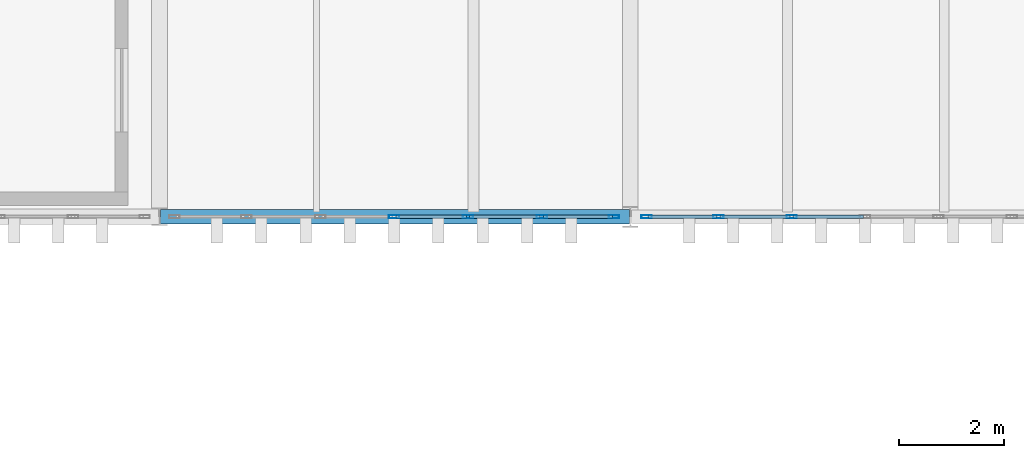
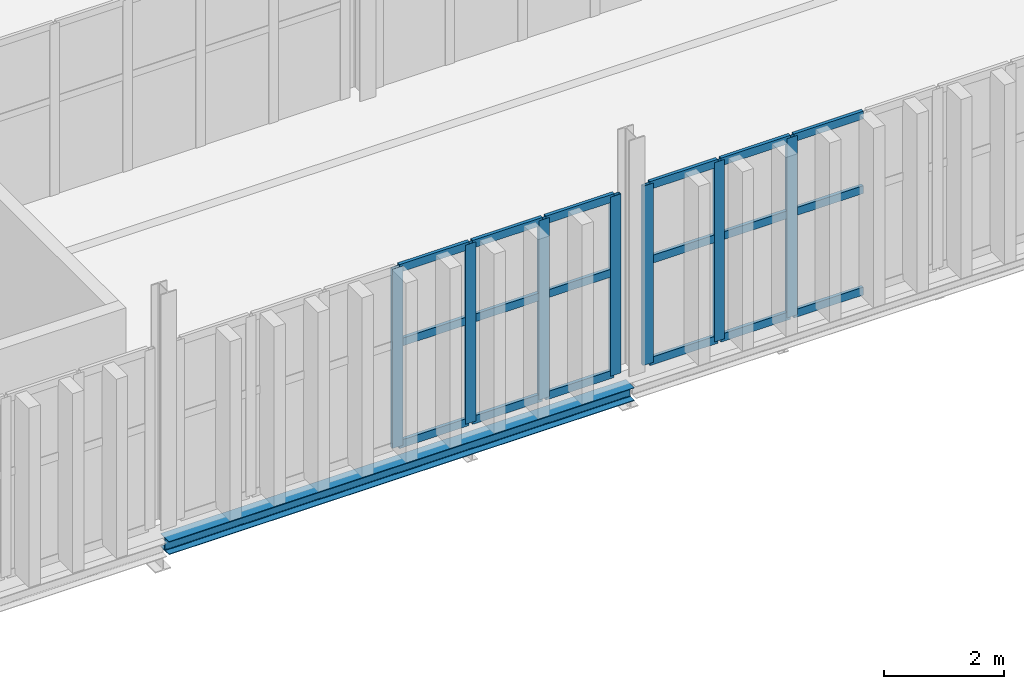
# One storey, part 28 of 196: 25 members, 1 beam, 2 elements without a shape of their own.
"""IFC4 building model written with IfcOpenShell, lengths in metres."""

from ifc_helpers import new_model, si_unit, direction, frame, origin, origin_2d, place, context, subcontext, project, spatial, hollow_rectangle, i_section, extrude, material, layer, layer_set, material_profile, profile_set, type_object, element, aggregate, save


model = new_model("IFC4")

# Units and contexts
model_context = context("Model", 3, precision=1e-05, world=origin(), true_north=direction((0.0, 1.0)))
body_context = subcontext(model_context, "Body", "Model", "MODEL_VIEW")
ifc_project = project(units=[si_unit("LENGTHUNIT", "METRE"), si_unit("AREAUNIT", "SQUARE_METRE"), si_unit("VOLUMEUNIT", "CUBIC_METRE"), si_unit("PLANEANGLEUNIT", "RADIAN"), si_unit("MASSUNIT", "GRAM", prefix="KILO")], contexts=[model_context])

# Site, building, storey
site_placement = place(None, origin())
site = spatial("IfcSite", under=ifc_project, at=site_placement, CompositionType="ELEMENT")
building_placement = place(site_placement, origin())
building = spatial("IfcBuilding", under=site, at=building_placement, Name="Barlavento Convention Centre", CompositionType="ELEMENT")
storey_placement = place(building_placement, frame((0.0, 0.0, 18.0)))
storey = spatial("IfcBuildingStorey", under=building, at=storey_placement, Name="L03", CompositionType="ELEMENT", Elevation=18.0)

# Curtain wall, members
ifc_material_1 = material(Name="Powder-coated aluminium and Low-E glass", Category="aluminium")
ifc_layer = layer(ifc_material_1, 0.179931640625)
ifc_layer_set = layer_set([ifc_layer], Name="ARC-CW-CONF-L03")
curtain_wall_type = type_object("IfcCurtainWallType", Name="ARC-CW-CONF-L03", PredefinedType="NOTDEFINED", material=ifc_layer_set)
curtain_wall_1_placement = place(storey_placement, origin())
curtain_wall_1 = element("IfcCurtainWall", 1, at=curtain_wall_1_placement, inside=storey, type_object=curtain_wall_type, Name="L03 unitised curtain wall CW08", PredefinedType="NOTDEFINED")
ifc_material_2 = material(Name="Powder-coated aluminium", Category="aluminium")
ifc_material_profile_1 = material_profile(ifc_material_2, hollow_rectangle(XDim=0.06494140625, YDim=0.199951171875, WallThickness=0.0048828125, at=origin_2d()), Name="AL-MULL 65x200x5")
ifc_profile_set_1 = profile_set([ifc_material_profile_1], Name="Powder-coated aluminium")
member_type_1 = type_object("IfcMemberType", Name="ARC-CWM-65X200", PredefinedType="MULLION", material=ifc_profile_set_1)
member_1_placement = place(storey_placement, frame((76.485107421875, 45.0, 0.0), z_axis=(0.0, 0.0, 1.0), x_axis=(0.0, 1.0, 0.0)))
member_1 = element("IfcMember", 2, at=member_1_placement, type_object=member_type_1, Name="CW08 mullion 4", PredefinedType="MULLION", context=body_context, shape_type="SweptSolid", body=[
    extrude(hollow_rectangle(XDim=0.06494140625, YDim=0.199951171875, WallThickness=0.0048828125, at=origin_2d()), origin(), (0.0, 0.0, 1.0), 3.64990234375),
])
member_2_placement = place(storey_placement, frame((77.896728515625, 45.0, 0.0), z_axis=(0.0, 0.0, 1.0), x_axis=(0.0, 1.0, 0.0)))
member_2 = element("IfcMember", 3, at=member_2_placement, type_object=member_type_1, Name="CW08 mullion 5", PredefinedType="MULLION", context=body_context, shape_type="SweptSolid", body=[
    extrude(hollow_rectangle(XDim=0.06494140625, YDim=0.199951171875, WallThickness=0.0048828125, at=origin_2d()), origin(), (0.0, 0.0, 1.0), 3.64990234375),
])
member_3_placement = place(storey_placement, frame((79.308349609375, 45.0, 0.0), z_axis=(0.0, 0.0, 1.0), x_axis=(0.0, 1.0, 0.0)))
member_3 = element("IfcMember", 4, at=member_3_placement, type_object=member_type_1, Name="CW08 mullion 6", PredefinedType="MULLION", context=body_context, shape_type="SweptSolid", body=[
    extrude(hollow_rectangle(XDim=0.06494140625, YDim=0.199951171875, WallThickness=0.0048828125, at=origin_2d()), origin(), (0.0, 0.0, 1.0), 3.64990234375),
])
member_4_placement = place(storey_placement, frame((80.6875, 45.0, 0.0), z_axis=(0.0, 0.0, 1.0), x_axis=(0.0, 1.0, 0.0)))
member_4 = element("IfcMember", 5, at=member_4_placement, type_object=member_type_1, Name="CW08 mullion 7", PredefinedType="MULLION", context=body_context, shape_type="SweptSolid", body=[
    extrude(hollow_rectangle(XDim=0.06494140625, YDim=0.199951171875, WallThickness=0.0048828125, at=origin_2d()), origin(), (0.0, 0.0, 1.0), 3.64990234375),
])

curtain_wall_2_placement = place(storey_placement, origin())
curtain_wall_2 = element("IfcCurtainWall", 6, at=curtain_wall_2_placement, inside=storey, type_object=curtain_wall_type, Name="L03 unitised curtain wall CW08", PredefinedType="NOTDEFINED")
member_5_placement = place(storey_placement, frame((81.3125, 45.0, 0.0), z_axis=(0.0, 0.0, 1.0), x_axis=(0.0, 1.0, 0.0)))
member_5 = element("IfcMember", 7, at=member_5_placement, type_object=member_type_1, Name="CW08 mullion 1", PredefinedType="MULLION", context=body_context, shape_type="SweptSolid", body=[
    extrude(hollow_rectangle(XDim=0.06494140625, YDim=0.199951171875, WallThickness=0.0048828125, at=origin_2d()), origin(), (0.0, 0.0, 1.0), 3.64990234375),
])
member_6_placement = place(storey_placement, frame((82.6826171875, 45.0, 0.0), z_axis=(0.0, 0.0, 1.0), x_axis=(0.0, 1.0, 0.0)))
member_6 = element("IfcMember", 8, at=member_6_placement, type_object=member_type_1, Name="CW08 mullion 2", PredefinedType="MULLION", context=body_context, shape_type="SweptSolid", body=[
    extrude(hollow_rectangle(XDim=0.06494140625, YDim=0.199951171875, WallThickness=0.0048828125, at=origin_2d()), origin(), (0.0, 0.0, 1.0), 3.64990234375),
])
member_7_placement = place(storey_placement, frame((84.0849609375, 45.0, 0.0), z_axis=(0.0, 0.0, 1.0), x_axis=(0.0, 1.0, 0.0)))
member_7 = element("IfcMember", 9, at=member_7_placement, type_object=member_type_1, Name="CW08 mullion 3", PredefinedType="MULLION", context=body_context, shape_type="SweptSolid", body=[
    extrude(hollow_rectangle(XDim=0.06494140625, YDim=0.199951171875, WallThickness=0.0048828125, at=origin_2d()), origin(), (0.0, 0.0, 1.0), 3.64990234375),
])

# Member
ifc_material_profile_2 = material_profile(ifc_material_2, hollow_rectangle(XDim=0.06494140625, YDim=0.159912109375, WallThickness=0.0048828125, at=origin_2d()), Name="AL-TRAN 65x160x5")
ifc_profile_set_2 = profile_set([ifc_material_profile_2], Name="Powder-coated aluminium")
member_type_2 = type_object("IfcMemberType", Name="ARC-CWT-65X160", PredefinedType="USERDEFINED", material=ifc_profile_set_2)
member_8_placement = place(storey_placement, frame((76.517578125, 45.0, 0.032470703125), z_axis=(1.0, 0.0, 0.0), x_axis=(0.0, 1.0, 0.0)))
member_8 = element("IfcMember", 10, at=member_8_placement, type_object=member_type_2, Name="CW08 transom 4.1", ObjectType="TRANSOM", PredefinedType="USERDEFINED", context=body_context, shape_type="SweptSolid", body=[
    extrude(hollow_rectangle(XDim=0.06494140625, YDim=0.159912109375, WallThickness=0.0048828125, at=origin_2d()), origin(), (0.0, 0.0, 1.0), 1.3466796875),
])

member_9_placement = place(storey_placement, frame((76.517578125, 45.0, 2.10009765625), z_axis=(1.0, 0.0, 0.0), x_axis=(0.0, 1.0, 0.0)))
member_9 = element("IfcMember", 11, at=member_9_placement, type_object=member_type_2, Name="CW08 transom 4.2", ObjectType="TRANSOM", PredefinedType="USERDEFINED", context=body_context, shape_type="SweptSolid", body=[
    extrude(hollow_rectangle(XDim=0.06494140625, YDim=0.159912109375, WallThickness=0.0048828125, at=origin_2d()), origin(), (0.0, 0.0, 1.0), 1.3466796875),
])

member_10_placement = place(storey_placement, frame((76.517578125, 45.0, 3.617431640625), z_axis=(1.0, 0.0, 0.0), x_axis=(0.0, 1.0, 0.0)))
member_10 = element("IfcMember", 12, at=member_10_placement, type_object=member_type_2, Name="CW08 transom 4.3", ObjectType="TRANSOM", PredefinedType="USERDEFINED", context=body_context, shape_type="SweptSolid", body=[
    extrude(hollow_rectangle(XDim=0.06494140625, YDim=0.159912109375, WallThickness=0.0048828125, at=origin_2d()), origin(), (0.0, 0.0, 1.0), 1.3466796875),
])

member_11_placement = place(storey_placement, frame((77.92919921875, 45.0, 0.032470703125), z_axis=(1.0, 0.0, 0.0), x_axis=(0.0, 1.0, 0.0)))
member_11 = element("IfcMember", 13, at=member_11_placement, type_object=member_type_2, Name="CW08 transom 5.1", ObjectType="TRANSOM", PredefinedType="USERDEFINED", context=body_context, shape_type="SweptSolid", body=[
    extrude(hollow_rectangle(XDim=0.06494140625, YDim=0.159912109375, WallThickness=0.0048828125, at=origin_2d()), origin(), (0.0, 0.0, 1.0), 1.3466796875),
])

member_12_placement = place(storey_placement, frame((77.92919921875, 45.0, 2.10009765625), z_axis=(1.0, 0.0, 0.0), x_axis=(0.0, 1.0, 0.0)))
member_12 = element("IfcMember", 14, at=member_12_placement, type_object=member_type_2, Name="CW08 transom 5.2", ObjectType="TRANSOM", PredefinedType="USERDEFINED", context=body_context, shape_type="SweptSolid", body=[
    extrude(hollow_rectangle(XDim=0.06494140625, YDim=0.159912109375, WallThickness=0.0048828125, at=origin_2d()), origin(), (0.0, 0.0, 1.0), 1.3466796875),
])

member_13_placement = place(storey_placement, frame((77.92919921875, 45.0, 3.617431640625), z_axis=(1.0, 0.0, 0.0), x_axis=(0.0, 1.0, 0.0)))
member_13 = element("IfcMember", 15, at=member_13_placement, type_object=member_type_2, Name="CW08 transom 5.3", ObjectType="TRANSOM", PredefinedType="USERDEFINED", context=body_context, shape_type="SweptSolid", body=[
    extrude(hollow_rectangle(XDim=0.06494140625, YDim=0.159912109375, WallThickness=0.0048828125, at=origin_2d()), origin(), (0.0, 0.0, 1.0), 1.3466796875),
])

member_14_placement = place(storey_placement, frame((79.3408203125, 45.0, 0.032470703125), z_axis=(1.0, 0.0, 0.0), x_axis=(0.0, 1.0, 0.0)))
member_14 = element("IfcMember", 16, at=member_14_placement, type_object=member_type_2, Name="CW08 transom 6.1", ObjectType="TRANSOM", PredefinedType="USERDEFINED", context=body_context, shape_type="SweptSolid", body=[
    extrude(hollow_rectangle(XDim=0.06494140625, YDim=0.159912109375, WallThickness=0.0048828125, at=origin_2d()), origin(), (0.0, 0.0, 1.0), 1.314208984375),
])

member_15_placement = place(storey_placement, frame((79.3408203125, 45.0, 2.10009765625), z_axis=(1.0, 0.0, 0.0), x_axis=(0.0, 1.0, 0.0)))
member_15 = element("IfcMember", 17, at=member_15_placement, type_object=member_type_2, Name="CW08 transom 6.2", ObjectType="TRANSOM", PredefinedType="USERDEFINED", context=body_context, shape_type="SweptSolid", body=[
    extrude(hollow_rectangle(XDim=0.06494140625, YDim=0.159912109375, WallThickness=0.0048828125, at=origin_2d()), origin(), (0.0, 0.0, 1.0), 1.314208984375),
])

member_16_placement = place(storey_placement, frame((79.3408203125, 45.0, 3.617431640625), z_axis=(1.0, 0.0, 0.0), x_axis=(0.0, 1.0, 0.0)))
member_16 = element("IfcMember", 18, at=member_16_placement, type_object=member_type_2, Name="CW08 transom 6.3", ObjectType="TRANSOM", PredefinedType="USERDEFINED", context=body_context, shape_type="SweptSolid", body=[
    extrude(hollow_rectangle(XDim=0.06494140625, YDim=0.159912109375, WallThickness=0.0048828125, at=origin_2d()), origin(), (0.0, 0.0, 1.0), 1.314208984375),
])

aggregate(curtain_wall_1, [member_1, member_2, member_3, member_4, member_8, member_9, member_10, member_11, member_12, member_13, member_14, member_15, member_16])

member_17_placement = place(storey_placement, frame((81.344970703125, 45.0, 0.032470703125), z_axis=(1.0, 0.0, 0.0), x_axis=(0.0, 1.0, 0.0)))
member_17 = element("IfcMember", 19, at=member_17_placement, type_object=member_type_2, Name="CW08 transom 1.1", ObjectType="TRANSOM", PredefinedType="USERDEFINED", context=body_context, shape_type="SweptSolid", body=[
    extrude(hollow_rectangle(XDim=0.06494140625, YDim=0.159912109375, WallThickness=0.0048828125, at=origin_2d()), origin(), (0.0, 0.0, 1.0), 1.304931640625),
])

member_18_placement = place(storey_placement, frame((81.344970703125, 45.0, 2.10009765625), z_axis=(1.0, 0.0, 0.0), x_axis=(0.0, 1.0, 0.0)))
member_18 = element("IfcMember", 20, at=member_18_placement, type_object=member_type_2, Name="CW08 transom 1.2", ObjectType="TRANSOM", PredefinedType="USERDEFINED", context=body_context, shape_type="SweptSolid", body=[
    extrude(hollow_rectangle(XDim=0.06494140625, YDim=0.159912109375, WallThickness=0.0048828125, at=origin_2d()), origin(), (0.0, 0.0, 1.0), 1.304931640625),
])

member_19_placement = place(storey_placement, frame((81.344970703125, 45.0, 3.617431640625), z_axis=(1.0, 0.0, 0.0), x_axis=(0.0, 1.0, 0.0)))
member_19 = element("IfcMember", 21, at=member_19_placement, type_object=member_type_2, Name="CW08 transom 1.3", ObjectType="TRANSOM", PredefinedType="USERDEFINED", context=body_context, shape_type="SweptSolid", body=[
    extrude(hollow_rectangle(XDim=0.06494140625, YDim=0.159912109375, WallThickness=0.0048828125, at=origin_2d()), origin(), (0.0, 0.0, 1.0), 1.304931640625),
])

member_20_placement = place(storey_placement, frame((82.715087890625, 45.0, 0.032470703125), z_axis=(1.0, 0.0, 0.0), x_axis=(0.0, 1.0, 0.0)))
member_20 = element("IfcMember", 22, at=member_20_placement, type_object=member_type_2, Name="CW08 transom 2.1", ObjectType="TRANSOM", PredefinedType="USERDEFINED", context=body_context, shape_type="SweptSolid", body=[
    extrude(hollow_rectangle(XDim=0.06494140625, YDim=0.159912109375, WallThickness=0.0048828125, at=origin_2d()), origin(), (0.0, 0.0, 1.0), 1.33740234375),
])

member_21_placement = place(storey_placement, frame((82.715087890625, 45.0, 2.10009765625), z_axis=(1.0, 0.0, 0.0), x_axis=(0.0, 1.0, 0.0)))
member_21 = element("IfcMember", 23, at=member_21_placement, type_object=member_type_2, Name="CW08 transom 2.2", ObjectType="TRANSOM", PredefinedType="USERDEFINED", context=body_context, shape_type="SweptSolid", body=[
    extrude(hollow_rectangle(XDim=0.06494140625, YDim=0.159912109375, WallThickness=0.0048828125, at=origin_2d()), origin(), (0.0, 0.0, 1.0), 1.33740234375),
])

member_22_placement = place(storey_placement, frame((82.715087890625, 45.0, 3.617431640625), z_axis=(1.0, 0.0, 0.0), x_axis=(0.0, 1.0, 0.0)))
member_22 = element("IfcMember", 24, at=member_22_placement, type_object=member_type_2, Name="CW08 transom 2.3", ObjectType="TRANSOM", PredefinedType="USERDEFINED", context=body_context, shape_type="SweptSolid", body=[
    extrude(hollow_rectangle(XDim=0.06494140625, YDim=0.159912109375, WallThickness=0.0048828125, at=origin_2d()), origin(), (0.0, 0.0, 1.0), 1.33740234375),
])

member_23_placement = place(storey_placement, frame((84.117431640625, 45.0, 0.032470703125), z_axis=(1.0, 0.0, 0.0), x_axis=(0.0, 1.0, 0.0)))
member_23 = element("IfcMember", 25, at=member_23_placement, type_object=member_type_2, Name="CW08 transom 3.1", ObjectType="TRANSOM", PredefinedType="USERDEFINED", context=body_context, shape_type="SweptSolid", body=[
    extrude(hollow_rectangle(XDim=0.06494140625, YDim=0.159912109375, WallThickness=0.0048828125, at=origin_2d()), origin(), (0.0, 0.0, 1.0), 1.337646484375),
])

member_24_placement = place(storey_placement, frame((84.117431640625, 45.0, 2.10009765625), z_axis=(1.0, 0.0, 0.0), x_axis=(0.0, 1.0, 0.0)))
member_24 = element("IfcMember", 26, at=member_24_placement, type_object=member_type_2, Name="CW08 transom 3.2", ObjectType="TRANSOM", PredefinedType="USERDEFINED", context=body_context, shape_type="SweptSolid", body=[
    extrude(hollow_rectangle(XDim=0.06494140625, YDim=0.159912109375, WallThickness=0.0048828125, at=origin_2d()), origin(), (0.0, 0.0, 1.0), 1.337646484375),
])

member_25_placement = place(storey_placement, frame((84.117431640625, 45.0, 3.617431640625), z_axis=(1.0, 0.0, 0.0), x_axis=(0.0, 1.0, 0.0)))
member_25 = element("IfcMember", 27, at=member_25_placement, type_object=member_type_2, Name="CW08 transom 3.3", ObjectType="TRANSOM", PredefinedType="USERDEFINED", context=body_context, shape_type="SweptSolid", body=[
    extrude(hollow_rectangle(XDim=0.06494140625, YDim=0.159912109375, WallThickness=0.0048828125, at=origin_2d()), origin(), (0.0, 0.0, 1.0), 1.337646484375),
])

aggregate(curtain_wall_2, [member_5, member_6, member_7, member_17, member_18, member_19, member_20, member_21, member_22, member_23, member_24, member_25])

# Beam
ifc_material_3 = material(Name="Steel S355", Category="steel")
ifc_material_profile_3 = material_profile(ifc_material_3, i_section(OverallWidth=0.280029296875, OverallDepth=0.27001953125, WebThickness=0.008056640625, FlangeThickness=0.012939453125, FilletRadius=0.02392578125, at=origin_2d()), Name="HEA 280")
ifc_profile_set_3 = profile_set([ifc_material_profile_3], Name="Steel S355")
beam_type = type_object("IfcBeamType", Name="STR-BM-SPN-HEA280", PredefinedType="SPANDREL", material=ifc_profile_set_3)
beam_placement = place(storey_placement, frame((72.02001953125, 45.0, -0.43505859375), z_axis=(1.0, 0.0, 0.0), x_axis=(0.0, 1.0, 0.0)))
element("IfcBeam", 28, at=beam_placement, inside=storey, type_object=beam_type, Name="L03 primary girder SP03", PredefinedType="SPANDREL", context=body_context, shape_type="SweptSolid", body=[
    extrude(i_section(OverallWidth=0.280029296875, OverallDepth=0.27001953125, WebThickness=0.008056640625, FlangeThickness=0.012939453125, FilletRadius=0.02392578125, at=origin_2d()), origin(), (0.0, 0.0, 1.0), 8.9599609375),
])

save(model, "model.ifc")
